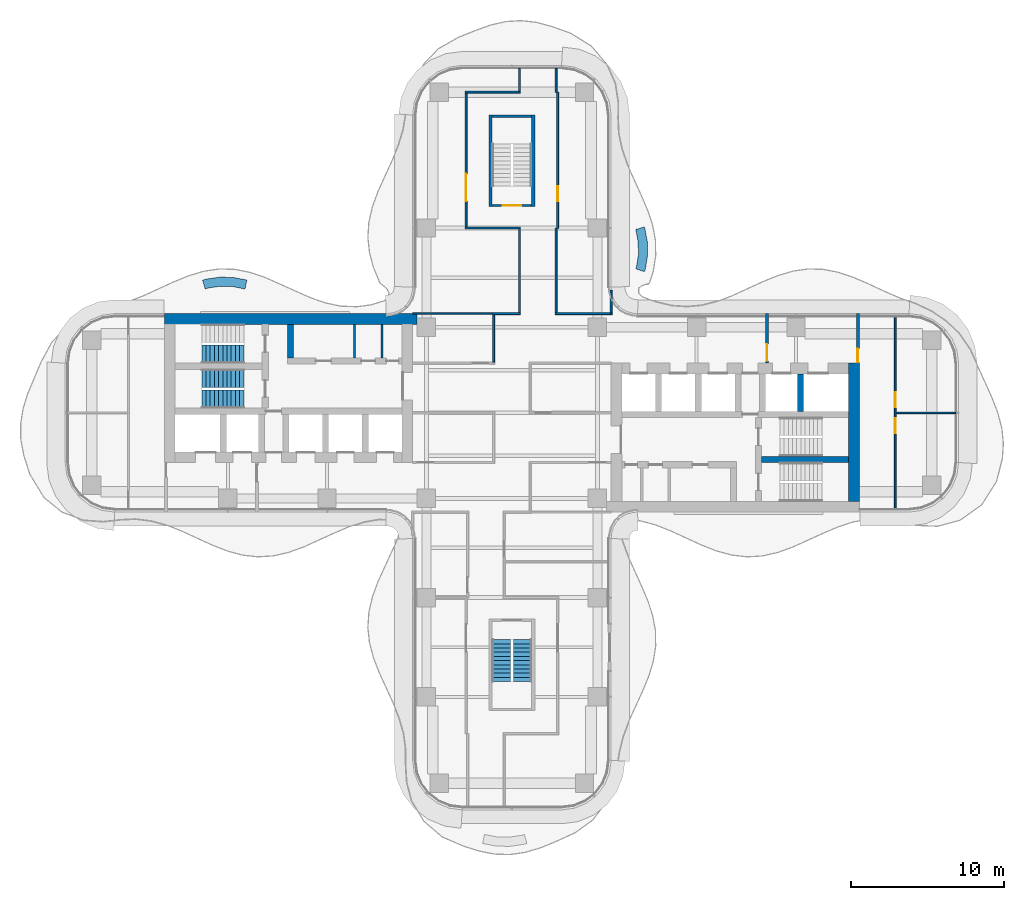
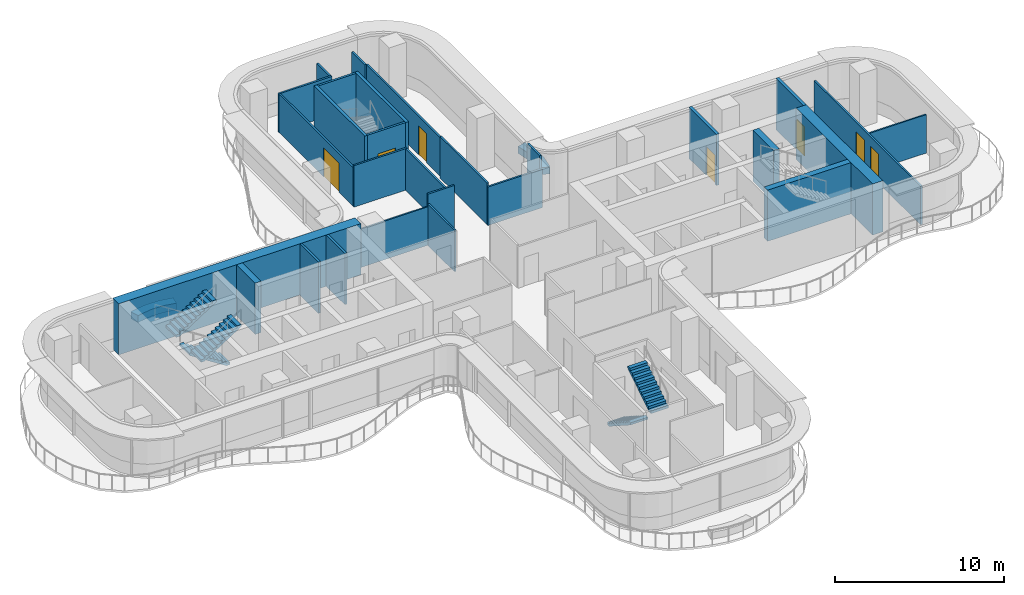
# One storey, part 15 of 18: 30 walls, 7 doors, 5 stair flights, 7 openings, 3 elements without a shape of their own.
"""IFC4 building model written with IfcOpenShell, lengths in metres."""

from ifc_helpers import new_model, si_unit, direction, frame, frame_2d, origin, place, context, subcontext, project, spatial, polyline, rectangle, outline, extrude, source, transform, mapped, material, layer, layer_set, type_object, element, fill, aggregate, save


model = new_model("IFC4")

# Units and contexts
model_context = context("Model", 3, precision=1e-05, world=origin(), true_north=direction((0.0, 1.0)))
body_context = subcontext(model_context, "Body", "Model", "MODEL_VIEW")
ifc_project = project(units=[si_unit("LENGTHUNIT", "METRE"), si_unit("AREAUNIT", "SQUARE_METRE"), si_unit("VOLUMEUNIT", "CUBIC_METRE"), si_unit("PLANEANGLEUNIT", "RADIAN"), si_unit("MASSUNIT", "GRAM", prefix="KILO")], contexts=[model_context])

# Site, building, storey
site_placement = place(None, origin())
site = spatial("IfcSite", under=ifc_project, at=site_placement, CompositionType="ELEMENT")
building_placement = place(site_placement, origin())
building = spatial("IfcBuilding", under=site, at=building_placement, Name="Trellis Farm Tower", CompositionType="ELEMENT")
storey_placement = place(building_placement, frame((0.0, 0.0, 189.300048828125)))
storey = spatial("IfcBuildingStorey", under=building, at=storey_placement, Name="L41", CompositionType="ELEMENT", Elevation=189.300048828125)

# Walls
ifc_material_1 = material(Name="Sandstone faced masonry planter", Category="masonry")
ifc_layer_1 = layer(ifc_material_1, 0.60009765625)
ifc_layer_set_1 = layer_set([ifc_layer_1], Name="PLANTER BED 600")
wall_type_1 = type_object("IfcWallType", Name="PLANTER BED 600", PredefinedType="USERDEFINED", material=ifc_layer_set_1)
placement = place(storey_placement, origin())
element("IfcWall", 1, at=placement, inside=storey, type_object=wall_type_1, Name="PLANTER bed", ObjectType="PLANTER", PredefinedType="USERDEFINED", context=body_context, shape_type="SweptSolid", body=[
    extrude(outline(polyline([(-20.0185546875, 8.757568359375), (-19.106201171875, 8.887939453125), (-18.202880859375, 8.861083984375), (-17.354736328125, 8.6943359375), (-17.470458984375, 8.105712890625), (-18.270263671875, 8.2626953125), (-19.072509765625, 8.286865234375), (-19.889892578125, 8.169921875), (-20.083251953125, 8.1123046875), (-20.254150390625, 8.6875), (-20.0185546875, 8.757568359375)])), origin(), (0.0, 0.0, 1.0), 0.5),
])
element("IfcWall", 2, at=placement, inside=storey, type_object=wall_type_1, Name="PLANTER bed", ObjectType="PLANTER", PredefinedType="USERDEFINED", context=body_context, shape_type="SweptSolid", body=[
    extrude(outline(polyline([(8.684814453125, 12.1796875), (8.8671875, 11.235107421875), (8.882568359375, 10.303955078125), (8.7392578125, 9.400146484375), (8.684814453125, 9.23583984375), (8.115234375, 9.42529296875), (8.154296875, 9.542724609375), (8.28173828125, 10.34619140625), (8.268310546875, 11.17431640625), (8.10986328125, 12.015869140625), (8.258544921875, 12.03857421875), (8.684814453125, 12.1796875)])), origin(), (0.0, 0.0, 1.0), 0.5),
])
ifc_material_2 = material(Name="Concrete C70/85", Category="concrete")
ifc_layer_2 = layer(ifc_material_2, 0.699951171875)
ifc_layer_set_2 = layer_set([ifc_layer_2], Name="CORE OUTER WALL 700 CONCRETE C70/85")
wall_type_2 = type_object("IfcWallType", Name="CORE OUTER WALL 700 CONCRETE C70/85", PredefinedType="SHEAR", material=ifc_layer_set_2)
shared_shape_1 = source(origin(), body_context, "Body", "SweptSolid", [
    extrude(rectangle(XDim=9.050048828125, YDim=0.699951171875, at=frame_2d((4.52490234375, 0.0))), origin(), (0.0, 0.0, 1.0), 3.699951171875),
])
wall_3_placement = place(storey_placement, frame((22.39990234375, -5.800048828125, 0.0), z_axis=(0.0, 0.0, 1.0), x_axis=(0.0, 1.0, 0.0)))
element("IfcWall", 3, at=wall_3_placement, inside=storey, type_object=wall_type_2, Name="Core wall", PredefinedType="SHEAR", context=body_context, shape_type="MappedRepresentation", body=[
    mapped(shared_shape_1, transform((0.0, 0.0, 0.0))),
])
ifc_layer_3 = layer(ifc_material_2, 0.39990234375)
ifc_layer_set_3 = layer_set([ifc_layer_3], Name="CORE INNER WALL 400 CONCRETE C70/85")
wall_type_3 = type_object("IfcWallType", Name="CORE INNER WALL 400 CONCRETE C70/85", PredefinedType="SHEAR", material=ifc_layer_set_3)
shared_shape_2 = source(origin(), body_context, "Body", "SweptSolid", [
    extrude(rectangle(XDim=2.449951171875, YDim=0.39990234375, at=frame_2d((1.22509765625, 0.0))), origin(), (0.0, 0.0, 1.0), 3.699951171875),
])
wall_4_placement = place(storey_placement, frame((18.89990234375, 0.10009765625, 0.0), z_axis=(0.0, 0.0, 1.0), x_axis=(0.0, 1.0, 0.0)))
element("IfcWall", 4, at=wall_4_placement, inside=storey, type_object=wall_type_3, Name="Core wall", PredefinedType="SHEAR", context=body_context, shape_type="MappedRepresentation", body=[
    mapped(shared_shape_2, transform((0.0, 0.0, 0.0))),
])

# Wall, opening, door
ifc_material_3 = material(Name="Masonry blockwork", Category="masonry")
ifc_layer_4 = layer(ifc_material_3, 0.199951171875)
ifc_layer_set_4 = layer_set([ifc_layer_4], Name="FIRE LOBBY PARTITION 200 BLOCKWORK")
wall_type_4 = type_object("IfcWallType", Name="FIRE LOBBY PARTITION 200 BLOCKWORK", PredefinedType="PARTITIONING", material=ifc_layer_set_4)
shared_shape_3 = source(origin(), body_context, "Body", "SweptSolid", [
    extrude(rectangle(XDim=3.25, YDim=0.199951171875, at=frame_2d((1.625, 0.0))), origin(), (0.0, 0.0, 1.0), 3.699951171875),
])
wall_5_placement = place(storey_placement, frame((16.699951171875, 3.25, 0.0), z_axis=(0.0, 0.0, 1.0), x_axis=(0.0, 1.0, 0.0)))
wall_5 = element("IfcWall", 5, at=wall_5_placement, inside=storey, type_object=wall_type_4, Name="Fire-fighting lobby partition", PredefinedType="PARTITIONING", context=body_context, shape_type="MappedRepresentation", body=[
    mapped(shared_shape_3, transform((0.0, 0.0, 0.0))),
])
shared_shape_4 = source(origin(), body_context, "Body", "SweptSolid", [
    extrude(rectangle(XDim=1.10009765625, YDim=2.10009765625, at=frame_2d((0.550048828125, 1.050048828125))), frame((0.0, 0.110107421875, 0.0), z_axis=(0.0, -1.0, 0.0), x_axis=(1.0, 0.0, 0.0)), (0.0, 0.0, 1.0), 0.22021484375),
])
opening_1_placement = place(wall_5_placement, frame((0.14990234375, 0.0, 0.0)))
opening_1 = element("IfcOpeningElement", 6, at=opening_1_placement, cuts=wall_5, Name="Opening DC7", PredefinedType="OPENING", context=body_context, shape_type="MappedRepresentation", body=[
    mapped(shared_shape_4, transform((0.0, 0.0, 0.0))),
])
ifc_material_4 = material(Name="Steel", Category="steel")
door_type_1 = type_object("IfcDoorType", Name="CORE FIRE DOOR 1100 X 2100", OperationType="NOTDEFINED", PredefinedType="DOOR", material=ifc_material_4)
shared_shape_5 = source(origin(), body_context, "Body", "SweptSolid", [
    extrude(rectangle(XDim=1.10009765625, YDim=2.10009765625, at=frame_2d((0.550048828125, 1.050048828125))), frame((0.0, 0.02490234375, 0.0), z_axis=(0.0, -1.0, 0.0), x_axis=(1.0, 0.0, 0.0)), (0.0, 0.0, 1.0), 0.050048828125),
])
door_1_placement = place(opening_1_placement, origin())
door_1 = element("IfcDoor", 7, at=door_1_placement, inside=storey, type_object=door_type_1, Name="Core door", OperationType="SINGLE_SWING_RIGHT", OverallHeight=2.10009765625, OverallWidth=1.10009765625, PredefinedType="DOOR", context=body_context, shape_type="MappedRepresentation", body=[
    mapped(shared_shape_5, transform((0.0, 0.0, 0.0))),
])
fill(opening_1, door_1)

wall_6_placement = place(storey_placement, frame((22.64990234375, 3.25, 0.0), z_axis=(0.0, 0.0, 1.0), x_axis=(0.0, 1.0, 0.0)))
wall_6 = element("IfcWall", 8, at=wall_6_placement, inside=storey, type_object=wall_type_4, Name="Fire-fighting lobby partition", PredefinedType="PARTITIONING", context=body_context, shape_type="MappedRepresentation", body=[
    mapped(shared_shape_3, transform((0.0, 0.0, 0.0))),
])
shared_shape_6 = source(origin(), body_context, "Body", "SweptSolid", [
    extrude(rectangle(XDim=0.89990234375, YDim=2.10009765625, at=frame_2d((0.449951171875, 1.050048828125))), frame((0.0, 0.110107421875, 0.0), z_axis=(0.0, -1.0, 0.0), x_axis=(1.0, 0.0, 0.0)), (0.0, 0.0, 1.0), 0.22021484375),
])
opening_2_placement = place(wall_6_placement, frame((0.050048828125, 0.0, 0.0)))
opening_2 = element("IfcOpeningElement", 9, at=opening_2_placement, cuts=wall_6, Name="Opening DC8", PredefinedType="OPENING", context=body_context, shape_type="MappedRepresentation", body=[
    mapped(shared_shape_6, transform((0.0, 0.0, 0.0))),
])
door_type_2 = type_object("IfcDoorType", Name="CORE FIRE DOOR 900 X 2100", OperationType="NOTDEFINED", PredefinedType="DOOR", material=ifc_material_4)
shared_shape_7 = source(origin(), body_context, "Body", "SweptSolid", [
    extrude(rectangle(XDim=0.89990234375, YDim=2.10009765625, at=frame_2d((0.449951171875, 1.050048828125))), frame((0.0, 0.02490234375, 0.0), z_axis=(0.0, -1.0, 0.0), x_axis=(1.0, 0.0, 0.0)), (0.0, 0.0, 1.0), 0.050048828125),
])
door_2_placement = place(opening_2_placement, origin())
door_2 = element("IfcDoor", 10, at=door_2_placement, inside=storey, type_object=door_type_2, Name="Core door", OperationType="SINGLE_SWING_RIGHT", OverallHeight=2.10009765625, OverallWidth=0.89990234375, PredefinedType="DOOR", context=body_context, shape_type="MappedRepresentation", body=[
    mapped(shared_shape_7, transform((0.0, 0.0, 0.0))),
])
fill(opening_2, door_2)

# Walls
shared_shape_8 = source(origin(), body_context, "Body", "SweptSolid", [
    extrude(rectangle(XDim=16.550048828125, YDim=0.699951171875, at=frame_2d((8.27490234375, 0.0))), origin(), (0.0, 0.0, 1.0), 3.699951171875),
])
wall_7_placement = place(storey_placement, frame((-6.199951171875, 6.14990234375, 0.0), z_axis=(0.0, 0.0, 1.0), x_axis=(-1.0, 0.0, 0.0)))
element("IfcWall", 11, at=wall_7_placement, inside=storey, type_object=wall_type_2, Name="Core wall", PredefinedType="SHEAR", context=body_context, shape_type="MappedRepresentation", body=[
    mapped(shared_shape_8, transform((0.0, 0.0, 0.0))),
])
shared_shape_9 = source(origin(), body_context, "Body", "SweptSolid", [
    extrude(rectangle(XDim=5.699951171875, YDim=0.39990234375, at=frame_2d((2.85009765625, 0.0))), origin(), (0.0, 0.0, 1.0), 3.699951171875),
])
wall_8_placement = place(storey_placement, frame((16.35009765625, -3.050048828125, 0.0), z_axis=(0.0, 0.0, 1.0), x_axis=(1.0, 0.0, 0.0)))
element("IfcWall", 12, at=wall_8_placement, inside=storey, type_object=wall_type_3, Name="Core wall", PredefinedType="SHEAR", context=body_context, shape_type="MappedRepresentation", body=[
    mapped(shared_shape_9, transform((0.0, 0.0, 0.0))),
])
shared_shape_10 = source(origin(), body_context, "Body", "SweptSolid", [
    extrude(rectangle(XDim=2.199951171875, YDim=0.39990234375, at=frame_2d((1.10009765625, 0.0))), origin(), (0.0, 0.0, 1.0), 3.699951171875),
])
wall_9_placement = place(storey_placement, frame((-14.5, 5.800048828125, 0.0), z_axis=(0.0, 0.0, 1.0), x_axis=(0.0, -1.0, 0.0)))
element("IfcWall", 13, at=wall_9_placement, inside=storey, type_object=wall_type_3, Name="Core wall", PredefinedType="SHEAR", context=body_context, shape_type="MappedRepresentation", body=[
    mapped(shared_shape_10, transform((0.0, 0.0, 0.0))),
])
ifc_layer_5 = layer(ifc_material_3, 0.14990234375)
ifc_layer_set_5 = layer_set([ifc_layer_5], Name="CORE PARTITION 150 BLOCKWORK")
wall_type_5 = type_object("IfcWallType", Name="CORE PARTITION 150 BLOCKWORK", PredefinedType="PARTITIONING", material=ifc_layer_set_5)
shared_shape_11 = source(origin(), body_context, "Body", "SweptSolid", [
    extrude(rectangle(XDim=2.199951171875, YDim=0.14990234375, at=frame_2d((1.10009765625, 0.0))), origin(), (0.0, 0.0, 1.0), 3.699951171875),
])
for number, where, z_axis, x_axis, name in (
    (14, (-8.5, 5.800048828125, 0.0), (0.0, 0.0, 1.0), (0.0, -1.0, 0.0), "Core room partition"),
    (15, (-10.300048828125, 5.800048828125, 0.0), (0.0, 0.0, 1.0), (0.0, -1.0, 0.0), "Core room partition"),
):
    element("IfcWall", number, at=place(storey_placement, frame(where, z_axis=z_axis, x_axis=x_axis)), inside=storey, type_object=wall_type_5, Name=name, PredefinedType="PARTITIONING", context=body_context, shape_type="MappedRepresentation", body=[
        mapped(shared_shape_11, transform((0.0, 0.0, 0.0))),
    ])
ifc_layer_6 = layer(ifc_material_2, 0.199951171875)
ifc_layer_set_6 = layer_set([ifc_layer_6], Name="CORE STAIR ENCLOSURE WALL 200 CONCRETE C70/85")
wall_type_6 = type_object("IfcWallType", Name="CORE STAIR ENCLOSURE WALL 200 CONCRETE C70/85", PredefinedType="SHEAR", material=ifc_layer_set_6)
shared_shape_12 = source(origin(), body_context, "Body", "SweptSolid", [
    extrude(rectangle(XDim=6.0, YDim=0.199951171875, at=frame_2d((3.0, 0.0))), origin(), (0.0, 0.0, 1.0), 3.699951171875),
])
for number, where, z_axis, x_axis, name in (
    (16, (-1.39990234375, 13.5, 0.0), (0.0, 0.0, 1.0), (0.0, 1.0, 0.0), "Stair enclosure wall"),
    (17, (1.39990234375, 13.5, 0.0), (0.0, 0.0, 1.0), (0.0, 1.0, 0.0), "Stair enclosure wall"),
):
    element("IfcWall", number, at=place(storey_placement, frame(where, z_axis=z_axis, x_axis=x_axis)), inside=storey, type_object=wall_type_6, Name=name, PredefinedType="SHEAR", context=body_context, shape_type="MappedRepresentation", body=[
        mapped(shared_shape_12, transform((0.0, 0.0, 0.0))),
    ])

# Wall, opening, door
ifc_layer_7 = layer(ifc_material_2, 0.14990234375)
ifc_layer_set_7 = layer_set([ifc_layer_7], Name="CORE STAIR ENCLOSURE WALL 150 CONCRETE C70/85")
wall_type_7 = type_object("IfcWallType", Name="CORE STAIR ENCLOSURE WALL 150 CONCRETE C70/85", PredefinedType="SHEAR", material=ifc_layer_set_7)
shared_shape_13 = source(origin(), body_context, "Body", "SweptSolid", [
    extrude(rectangle(XDim=2.60009765625, YDim=0.14990234375, at=frame_2d((1.300048828125, 0.0))), origin(), (0.0, 0.0, 1.0), 3.699951171875),
])
wall_10_placement = place(storey_placement, frame((-1.300048828125, 13.574951171875, 0.0), z_axis=(0.0, 0.0, 1.0), x_axis=(1.0, 0.0, 0.0)))
wall_10 = element("IfcWall", 18, at=wall_10_placement, inside=storey, type_object=wall_type_7, Name="Stair enclosure wall", PredefinedType="SHEAR", context=body_context, shape_type="MappedRepresentation", body=[
    mapped(shared_shape_13, transform((0.0, 0.0, 0.0))),
])
shared_shape_14 = source(origin(), body_context, "Body", "SweptSolid", [
    extrude(rectangle(XDim=1.199951171875, YDim=2.10009765625, at=frame_2d((0.60009765625, 1.050048828125))), frame((0.0, 0.0849609375, 0.0), z_axis=(0.0, -1.0, 0.0), x_axis=(1.0, 0.0, 0.0)), (0.0, 0.0, 1.0), 0.169921875),
])
opening_3_placement = place(wall_10_placement, frame((0.699951171875, 0.0, 0.0)))
opening_3 = element("IfcOpeningElement", 19, at=opening_3_placement, cuts=wall_10, Name="Opening DC173", PredefinedType="OPENING", context=body_context, shape_type="MappedRepresentation", body=[
    mapped(shared_shape_14, transform((0.0, 0.0, 0.0))),
])
door_type_3 = type_object("IfcDoorType", Name="CORE FIRE DOOR 1200 X 2100", OperationType="NOTDEFINED", PredefinedType="DOOR", material=ifc_material_4)
shared_shape_15 = source(origin(), body_context, "Body", "SweptSolid", [
    extrude(rectangle(XDim=1.199951171875, YDim=2.10009765625, at=frame_2d((0.60009765625, 1.050048828125))), frame((0.0, 0.02490234375, 0.0), z_axis=(0.0, -1.0, 0.0), x_axis=(1.0, 0.0, 0.0)), (0.0, 0.0, 1.0), 0.050048828125),
])
door_3_placement = place(opening_3_placement, origin())
door_3 = element("IfcDoor", 20, at=door_3_placement, inside=storey, type_object=door_type_3, Name="Core door", OperationType="SINGLE_SWING_LEFT", OverallHeight=2.10009765625, OverallWidth=1.199951171875, PredefinedType="DOOR", context=body_context, shape_type="MappedRepresentation", body=[
    mapped(shared_shape_15, transform((0.0, 0.0, 0.0))),
])
fill(opening_3, door_3)

# Walls
wall_11_placement = place(storey_placement, frame((-1.300048828125, 19.425048828125, 0.0), z_axis=(0.0, 0.0, 1.0), x_axis=(1.0, 0.0, 0.0)))
element("IfcWall", 21, at=wall_11_placement, inside=storey, type_object=wall_type_7, Name="Stair enclosure wall", PredefinedType="SHEAR", context=body_context, shape_type="MappedRepresentation", body=[
    mapped(shared_shape_13, transform((0.0, 0.0, 0.0))),
])
ifc_material_5 = material(Name="Plasterboard on steel studs, mineral wool", Category="steel")
ifc_layer_8 = layer(ifc_material_5, 0.125)
ifc_layer_set_8 = layer_set([ifc_layer_8], Name="PARTITION 125 STUD EI 60")
wall_type_8 = type_object("IfcWallType", Name="PARTITION 125 STUD EI 60", PredefinedType="PARTITIONING", material=ifc_layer_set_8)
shared_shape_16 = source(origin(), body_context, "Body", "SweptSolid", [
    extrude(rectangle(XDim=1.468994140625, YDim=0.125, at=frame_2d((0.734375, 0.0))), origin(), (0.0, 0.0, 1.0), 3.699951171875),
])
wall_12_placement = place(storey_placement, frame((6.5, 6.5625, 0.0), z_axis=(0.0, 0.0, 1.0), x_axis=(0.0, 1.0, 0.0)))
element("IfcWall", 22, at=wall_12_placement, inside=storey, type_object=wall_type_8, Name="Partition PW1", PredefinedType="PARTITIONING", context=body_context, shape_type="MappedRepresentation", body=[
    mapped(shared_shape_16, transform((0.0, 0.0, 0.0))),
])

# Wall, openings, doors
shared_shape_17 = source(origin(), body_context, "Body", "SweptSolid", [
    extrude(rectangle(XDim=12.60009765625, YDim=0.125, at=frame_2d((6.300048828125, 0.0))), origin(), (0.0, 0.0, 1.0), 2.780029296875),
])
wall_13_placement = place(storey_placement, frame((25.10009765625, 6.300048828125, 0.0), z_axis=(0.0, 0.0, 1.0), x_axis=(0.0, -1.0, 0.0)))
wall_13 = element("IfcWall", 23, at=wall_13_placement, inside=storey, type_object=wall_type_8, Name="Partition PW1", PredefinedType="PARTITIONING", context=body_context, shape_type="MappedRepresentation", body=[
    mapped(shared_shape_17, transform((0.0, 0.0, 0.0))),
])
shared_shape_18 = source(origin(), body_context, "Body", "SweptSolid", [
    extrude(rectangle(XDim=1.0, YDim=2.10009765625, at=frame_2d((0.5, 1.050048828125))), frame((0.0, 0.072509765625, 0.0), z_axis=(0.0, -1.0, 0.0), x_axis=(1.0, 0.0, 0.0)), (0.0, 0.0, 1.0), 0.14501953125),
])
opening_4_placement = place(wall_13_placement, frame((6.64990234375, 0.0, 0.0)))
opening_4 = element("IfcOpeningElement", 24, at=opening_4_placement, cuts=wall_13, Name="Opening D105", PredefinedType="OPENING", context=body_context, shape_type="MappedRepresentation", body=[
    mapped(shared_shape_18, transform((0.0, 0.0, 0.0))),
])
opening_5_placement = place(wall_13_placement, frame((4.949951171875, 0.0, 0.0)))
opening_5 = element("IfcOpeningElement", 25, at=opening_5_placement, cuts=wall_13, Name="Opening D107", PredefinedType="OPENING", context=body_context, shape_type="MappedRepresentation", body=[
    mapped(shared_shape_18, transform((0.0, 0.0, 0.0))),
])
ifc_material_6 = material(Name="Fire-rated timber door leaf in a hollow metal frame", Category="wood")
door_type_4 = type_object("IfcDoorType", Name="DOOR 1000x2100 FD30S", OperationType="NOTDEFINED", PredefinedType="DOOR", material=ifc_material_6)
shared_shape_19 = source(origin(), body_context, "Body", "SweptSolid", [
    extrude(rectangle(XDim=1.0, YDim=2.10009765625, at=frame_2d((0.5, 1.050048828125))), frame((0.0, 0.02490234375, 0.0), z_axis=(0.0, -1.0, 0.0), x_axis=(1.0, 0.0, 0.0)), (0.0, 0.0, 1.0), 0.050048828125),
])
door_4_placement = place(opening_4_placement, origin())
door_4 = element("IfcDoor", 26, at=door_4_placement, inside=storey, type_object=door_type_4, Name="Door D105", OperationType="SINGLE_SWING_LEFT", OverallHeight=2.10009765625, OverallWidth=1.0, PredefinedType="DOOR", context=body_context, shape_type="MappedRepresentation", body=[
    mapped(shared_shape_19, transform((0.0, 0.0, 0.0))),
])
fill(opening_4, door_4)
door_5_placement = place(opening_5_placement, origin())
door_5 = element("IfcDoor", 27, at=door_5_placement, inside=storey, type_object=door_type_4, Name="Door D107", OperationType="SINGLE_SWING_RIGHT", OverallHeight=2.10009765625, OverallWidth=1.0, PredefinedType="DOOR", context=body_context, shape_type="MappedRepresentation", body=[
    mapped(shared_shape_19, transform((0.0, 0.0, 0.0))),
])
fill(opening_5, door_5)

# Walls
ifc_material_7 = material(Name="Plasterboard on steel studs", Category="steel")
ifc_layer_9 = layer(ifc_material_7, 0.10009765625)
ifc_layer_set_9 = layer_set([ifc_layer_9], Name="PARTITION 100 STUD EI 30")
wall_type_9 = type_object("IfcWallType", Name="PARTITION 100 STUD EI 30", PredefinedType="PARTITIONING", material=ifc_layer_set_9)
shared_shape_20 = source(origin(), body_context, "Body", "SweptSolid", [
    extrude(rectangle(XDim=5.362548828125, YDim=0.10009765625, at=frame_2d((2.68115234375, 0.0))), origin(), (0.0, 0.0, 1.0), 2.780029296875),
])
wall_14_placement = place(storey_placement, frame((-6.5, 6.5, 0.0), z_axis=(0.0, 0.0, 1.0), x_axis=(1.0, 0.0, 0.0)))
element("IfcWall", 28, at=wall_14_placement, inside=storey, type_object=wall_type_9, Name="Partition PW2", PredefinedType="PARTITIONING", context=body_context, shape_type="MappedRepresentation", body=[
    mapped(shared_shape_20, transform((0.0, 0.0, 0.0))),
])
shared_shape_21 = source(origin(), body_context, "Body", "SweptSolid", [
    extrude(rectangle(XDim=1.824951171875, YDim=0.125, at=frame_2d((0.91259765625, 0.0))), origin(), (0.0, 0.0, 1.0), 3.699951171875),
])
wall_15_placement = place(storey_placement, frame((-1.262451171875, 6.5, 0.0), z_axis=(0.0, 0.0, 1.0), x_axis=(1.0, 0.0, 0.0)))
element("IfcWall", 29, at=wall_15_placement, inside=storey, type_object=wall_type_8, Name="Partition PW1", PredefinedType="PARTITIONING", context=body_context, shape_type="MappedRepresentation", body=[
    mapped(shared_shape_21, transform((0.0, 0.0, 0.0))),
])
shared_shape_22 = source(origin(), body_context, "Body", "SweptSolid", [
    extrude(rectangle(XDim=3.72509765625, YDim=0.125, at=frame_2d((1.862548828125, 0.0))), origin(), (0.0, 0.0, 1.0), 2.780029296875),
])
wall_16_placement = place(storey_placement, frame((2.83740234375, 6.5, 0.0), z_axis=(0.0, 0.0, 1.0), x_axis=(1.0, 0.0, 0.0)))
element("IfcWall", 30, at=wall_16_placement, inside=storey, type_object=wall_type_8, Name="Partition PW1", PredefinedType="PARTITIONING", context=body_context, shape_type="MappedRepresentation", body=[
    mapped(shared_shape_22, transform((0.0, 0.0, 0.0))),
])
shared_shape_23 = source(origin(), body_context, "Body", "SweptSolid", [
    extrude(rectangle(XDim=3.887451171875, YDim=0.10009765625, at=frame_2d((1.94384765625, 0.0))), origin(), (0.0, 0.0, 1.0), 2.780029296875),
])
wall_17_placement = place(storey_placement, frame((25.16259765625, 0.0, 0.0), z_axis=(0.0, 0.0, 1.0), x_axis=(1.0, 0.0, 0.0)))
element("IfcWall", 31, at=wall_17_placement, inside=storey, type_object=wall_type_9, Name="Partition PW2", PredefinedType="PARTITIONING", context=body_context, shape_type="MappedRepresentation", body=[
    mapped(shared_shape_23, transform((0.0, 0.0, 0.0))),
])
shared_shape_24 = source(origin(), body_context, "Body", "SweptSolid", [
    extrude(rectangle(XDim=5.47509765625, YDim=0.125, at=frame_2d((2.737548828125, 0.0))), origin(), (0.0, 0.0, 1.0), 2.996337890625),
])
wall_18_placement = place(storey_placement, frame((0.5, 12.03759765625, 0.0), z_axis=(0.0, 0.0, 1.0), x_axis=(0.0, -1.0, 0.0)))
element("IfcWall", 32, at=wall_18_placement, inside=storey, type_object=wall_type_8, Name="Partition PW1", PredefinedType="PARTITIONING", context=body_context, shape_type="MappedRepresentation", body=[
    mapped(shared_shape_24, transform((0.0, 0.0, 0.0))),
])
shared_shape_25 = source(origin(), body_context, "Body", "SweptSolid", [
    extrude(rectangle(XDim=3.137451171875, YDim=0.125, at=frame_2d((1.56884765625, 0.0))), origin(), (0.0, 0.0, 1.0), 2.996337890625),
])
wall_19_placement = place(storey_placement, frame((-1.199951171875, 6.449951171875, 0.0), z_axis=(0.0, 0.0, 1.0), x_axis=(0.0, -1.0, 0.0)))
element("IfcWall", 33, at=wall_19_placement, inside=storey, type_object=wall_type_8, Name="Partition PW1", PredefinedType="PARTITIONING", context=body_context, shape_type="MappedRepresentation", body=[
    mapped(shared_shape_25, transform((0.0, 0.0, 0.0))),
])
shared_shape_26 = source(origin(), body_context, "Body", "SweptSolid", [
    extrude(rectangle(XDim=5.53759765625, YDim=0.125, at=frame_2d((2.768798828125, 0.0))), origin(), (0.0, 0.0, 1.0), 2.996337890625),
])
wall_20_placement = place(storey_placement, frame((2.89990234375, 12.10009765625, 0.0), z_axis=(0.0, 0.0, 1.0), x_axis=(0.0, -1.0, 0.0)))
element("IfcWall", 34, at=wall_20_placement, inside=storey, type_object=wall_type_8, Name="Partition PW1", PredefinedType="PARTITIONING", context=body_context, shape_type="MappedRepresentation", body=[
    mapped(shared_shape_26, transform((0.0, 0.0, 0.0))),
])
shared_shape_27 = source(origin(), body_context, "Body", "SweptSolid", [
    extrude(rectangle(XDim=3.625, YDim=0.125, at=frame_2d((1.8125, 0.0))), origin(), (0.0, 0.0, 1.0), 2.996337890625),
])
wall_21_placement = place(storey_placement, frame((0.5625, 12.10009765625, 0.0), z_axis=(0.0, 0.0, 1.0), x_axis=(-1.0, 0.0, 0.0)))
element("IfcWall", 35, at=wall_21_placement, inside=storey, type_object=wall_type_8, Name="Partition PW1", PredefinedType="PARTITIONING", context=body_context, shape_type="MappedRepresentation", body=[
    mapped(shared_shape_27, transform((0.0, 0.0, 0.0))),
])

# Wall, opening, door
shared_shape_28 = source(origin(), body_context, "Body", "SweptSolid", [
    extrude(rectangle(XDim=8.77490234375, YDim=0.125, at=frame_2d((4.387451171875, 0.0))), origin(), (0.0, 0.0, 1.0), 2.780029296875),
])
wall_22_placement = place(storey_placement, frame((-3.0, 12.16259765625, 0.0), z_axis=(0.0, 0.0, 1.0), x_axis=(0.0, 1.0, 0.0)))
wall_22 = element("IfcWall", 36, at=wall_22_placement, inside=storey, type_object=wall_type_8, Name="Partition PW1", PredefinedType="PARTITIONING", context=body_context, shape_type="MappedRepresentation", body=[
    mapped(shared_shape_28, transform((0.0, 0.0, 0.0))),
])
shared_shape_29 = source(origin(), body_context, "Body", "SweptSolid", [
    extrude(rectangle(XDim=1.800048828125, YDim=2.10009765625, at=frame_2d((0.89990234375, 1.050048828125))), frame((0.0, 0.072509765625, 0.0), z_axis=(0.0, -1.0, 0.0), x_axis=(1.0, 0.0, 0.0)), (0.0, 0.0, 1.0), 0.14501953125),
])
opening_6_placement = place(wall_22_placement, frame((1.6875, 0.0, 0.0)))
opening_6 = element("IfcOpeningElement", 37, at=opening_6_placement, cuts=wall_22, Name="Opening D203", PredefinedType="OPENING", context=body_context, shape_type="MappedRepresentation", body=[
    mapped(shared_shape_29, transform((0.0, 0.0, 0.0))),
])
door_type_5 = type_object("IfcDoorType", Name="DOOR PAIR 1800x2100 FD30S", OperationType="NOTDEFINED", PredefinedType="DOOR", material=ifc_material_6)
shared_shape_30 = source(origin(), body_context, "Body", "SweptSolid", [
    extrude(rectangle(XDim=1.800048828125, YDim=2.10009765625, at=frame_2d((0.89990234375, 1.050048828125))), frame((0.0, 0.02490234375, 0.0), z_axis=(0.0, -1.0, 0.0), x_axis=(1.0, 0.0, 0.0)), (0.0, 0.0, 1.0), 0.050048828125),
])
door_6_placement = place(opening_6_placement, origin())
door_6 = element("IfcDoor", 38, at=door_6_placement, inside=storey, type_object=door_type_5, Name="Door D203", OperationType="DOUBLE_DOOR_SINGLE_SWING", OverallHeight=2.10009765625, OverallWidth=1.800048828125, PredefinedType="DOOR", context=body_context, shape_type="MappedRepresentation", body=[
    mapped(shared_shape_30, transform((0.0, 0.0, 0.0))),
])
fill(opening_6, door_6)

# Walls
shared_shape_31 = source(origin(), body_context, "Body", "SweptSolid", [
    extrude(rectangle(XDim=1.487548828125, YDim=0.125, at=frame_2d((0.74365234375, 0.0))), origin(), (0.0, 0.0, 1.0), 2.780029296875),
])
wall_23_placement = place(storey_placement, frame((0.5, 22.550048828125, 0.0), z_axis=(0.0, 0.0, 1.0), x_axis=(0.0, -1.0, 0.0)))
element("IfcWall", 39, at=wall_23_placement, inside=storey, type_object=wall_type_8, Name="Partition PW1", PredefinedType="PARTITIONING", context=body_context, shape_type="MappedRepresentation", body=[
    mapped(shared_shape_31, transform((0.0, 0.0, 0.0))),
])
shared_shape_32 = source(origin(), body_context, "Body", "SweptSolid", [
    extrude(rectangle(XDim=1.550048828125, YDim=0.125, at=frame_2d((0.77490234375, 0.0))), origin(), (0.0, 0.0, 1.0), 2.780029296875),
])
wall_24_placement = place(storey_placement, frame((2.89990234375, 22.550048828125, 0.0), z_axis=(0.0, 0.0, 1.0), x_axis=(0.0, -1.0, 0.0)))
element("IfcWall", 40, at=wall_24_placement, inside=storey, type_object=wall_type_8, Name="Partition PW1", PredefinedType="PARTITIONING", context=body_context, shape_type="MappedRepresentation", body=[
    mapped(shared_shape_32, transform((0.0, 0.0, 0.0))),
])

# Wall, opening, door
shared_shape_33 = source(origin(), body_context, "Body", "SweptSolid", [
    extrude(rectangle(XDim=8.89990234375, YDim=0.125, at=frame_2d((4.449951171875, 0.0))), origin(), (0.0, 0.0, 1.0), 2.780029296875),
])
wall_25_placement = place(storey_placement, frame((3.0, 21.0, 0.0), z_axis=(0.0, 0.0, 1.0), x_axis=(0.0, -1.0, 0.0)))
wall_25 = element("IfcWall", 41, at=wall_25_placement, inside=storey, type_object=wall_type_8, Name="Partition PW1", PredefinedType="PARTITIONING", context=body_context, shape_type="MappedRepresentation", body=[
    mapped(shared_shape_33, transform((0.0, 0.0, 0.0))),
])
opening_7_placement = place(wall_25_placement, frame((6.14990234375, 0.0, 0.0)))
opening_7 = element("IfcOpeningElement", 42, at=opening_7_placement, cuts=wall_25, Name="Opening D110", PredefinedType="OPENING", context=body_context, shape_type="MappedRepresentation", body=[
    mapped(shared_shape_18, transform((0.0, 0.0, 0.0))),
])
door_7_placement = place(opening_7_placement, origin())
door_7 = element("IfcDoor", 43, at=door_7_placement, inside=storey, type_object=door_type_4, Name="Door D110", OperationType="SINGLE_SWING_RIGHT", OverallHeight=2.10009765625, OverallWidth=1.0, PredefinedType="DOOR", context=body_context, shape_type="MappedRepresentation", body=[
    mapped(shared_shape_19, transform((0.0, 0.0, 0.0))),
])
fill(opening_7, door_7)

# Wall
shared_shape_34 = source(origin(), body_context, "Body", "SweptSolid", [
    extrude(rectangle(XDim=3.625, YDim=0.125, at=frame_2d((1.8125, 0.0))), origin(), (0.0, 0.0, 1.0), 2.780029296875),
])
wall_26_placement = place(storey_placement, frame((-3.0625, 21.0, 0.0), z_axis=(0.0, 0.0, 1.0), x_axis=(1.0, 0.0, 0.0)))
element("IfcWall", 44, at=wall_26_placement, inside=storey, type_object=wall_type_8, Name="Partition PW1", PredefinedType="PARTITIONING", context=body_context, shape_type="MappedRepresentation", body=[
    mapped(shared_shape_34, transform((0.0, 0.0, 0.0))),
])

# Stair, stair flights
ifc_material_8 = material(Name="Concrete C50/60", Category="concrete")
stair_type = type_object("IfcStairType", Name="CORE EXIT STAIR 22 RISERS 177 MM", PredefinedType="HALF_TURN_STAIR", material=ifc_material_8)
stair_1 = element("IfcStair", 45, at=placement, inside=storey, type_object=stair_type, Name="Exit stair S", PredefinedType="HALF_TURN_STAIR")
stair_flight_type = type_object("IfcStairFlightType", Name="STAIR FLIGHT 11 RISERS 177 MM", PredefinedType="STRAIGHT", material=ifc_material_8)
shared_shape_35 = source(origin(), body_context, "Body", "SweptSolid", [
    extrude(outline(polyline([(0.0, 0.0), (0.0, 0.17724609375), (0.27490234375, 0.17724609375), (0.27490234375, 0.3544921875), (0.550048828125, 0.3544921875), (0.550048828125, 0.53173828125), (0.824951171875, 0.53173828125), (0.824951171875, 0.708984375), (1.10009765625, 0.708984375), (1.10009765625, 0.886474609375), (1.375, 0.886474609375), (1.375, 1.063720703125), (1.64990234375, 1.063720703125), (1.64990234375, 1.240966796875), (1.925048828125, 1.240966796875), (1.925048828125, 1.418212890625), (2.199951171875, 1.418212890625), (2.199951171875, 1.595458984375), (2.47509765625, 1.595458984375), (2.47509765625, 1.772705078125), (2.75, 1.772705078125), (2.75, 1.949951171875), (2.75, 1.6181640625), (0.23974609375, 0.0), (0.0, 0.0)])), frame((0.0, 0.60009765625, 0.0), z_axis=(0.0, -1.0, 0.0), x_axis=(1.0, 0.0, 0.0)), (0.0, 0.0, 1.0), 1.199951171875),
])
stair_flight_1_placement = place(storey_placement, frame((-0.699951171875, -14.85009765625, 0.0), z_axis=(0.0, 0.0, 1.0), x_axis=(0.0, -1.0, 0.0)))
stair_flight_1 = element("IfcStairFlight", 46, at=stair_flight_1_placement, type_object=stair_flight_type, Name="STS flight 1", NumberOfRisers=11, NumberOfTreads=10, PredefinedType="STRAIGHT", RiserHeight=0.177272727, TreadLength=0.275, context=body_context, shape_type="MappedRepresentation", body=[
    mapped(shared_shape_35, transform((0.0, 0.0, 0.0))),
])
stair_flight_2_placement = place(storey_placement, frame((0.699951171875, -17.60009765625, 1.949951171875), z_axis=(0.0, 0.0, 1.0), x_axis=(0.0, 1.0, 0.0)))
stair_flight_2 = element("IfcStairFlight", 47, at=stair_flight_2_placement, type_object=stair_flight_type, Name="STS flight 2", NumberOfRisers=11, NumberOfTreads=10, PredefinedType="STRAIGHT", RiserHeight=0.177272727, TreadLength=0.275, context=body_context, shape_type="MappedRepresentation", body=[
    mapped(shared_shape_35, transform((0.0, 0.0, 0.0))),
])
aggregate(stair_1, [stair_flight_1, stair_flight_2])

# Stair, stair flight
stair_2 = element("IfcStair", 48, at=placement, inside=storey, type_object=stair_type, Name="Exit stair W1", PredefinedType="HALF_TURN_STAIR")
stair_flight_3_placement = place(storey_placement, frame((-20.300048828125, 3.85009765625, 1.949951171875), z_axis=(0.0, 0.0, 1.0), x_axis=(1.0, 0.0, 0.0)))
stair_flight_3 = element("IfcStairFlight", 49, at=stair_flight_3_placement, type_object=stair_flight_type, Name="STW1 flight 2", NumberOfRisers=11, NumberOfTreads=10, PredefinedType="STRAIGHT", RiserHeight=0.177272727, TreadLength=0.275, context=body_context, shape_type="MappedRepresentation", body=[
    mapped(shared_shape_35, transform((0.0, 0.0, 0.0))),
])
aggregate(stair_2, [stair_flight_3])

# Stair, stair flights
stair_3 = element("IfcStair", 50, at=placement, inside=storey, type_object=stair_type, Name="Exit stair W2", PredefinedType="HALF_TURN_STAIR")
stair_flight_4_placement = place(storey_placement, frame((-17.550048828125, 2.25, 0.0), z_axis=(0.0, 0.0, 1.0), x_axis=(-1.0, 0.0, 0.0)))
stair_flight_4 = element("IfcStairFlight", 51, at=stair_flight_4_placement, type_object=stair_flight_type, Name="STW2 flight 1", NumberOfRisers=11, NumberOfTreads=10, PredefinedType="STRAIGHT", RiserHeight=0.177272727, TreadLength=0.275, context=body_context, shape_type="MappedRepresentation", body=[
    mapped(shared_shape_35, transform((0.0, 0.0, 0.0))),
])
stair_flight_5_placement = place(storey_placement, frame((-20.300048828125, 0.89990234375, 1.949951171875), z_axis=(0.0, 0.0, 1.0), x_axis=(1.0, 0.0, 0.0)))
stair_flight_5 = element("IfcStairFlight", 52, at=stair_flight_5_placement, type_object=stair_flight_type, Name="STW2 flight 2", NumberOfRisers=11, NumberOfTreads=10, PredefinedType="STRAIGHT", RiserHeight=0.177272727, TreadLength=0.275, context=body_context, shape_type="MappedRepresentation", body=[
    mapped(shared_shape_35, transform((0.0, 0.0, 0.0))),
])
aggregate(stair_3, [stair_flight_4, stair_flight_5])

save(model, "model.ifc")
